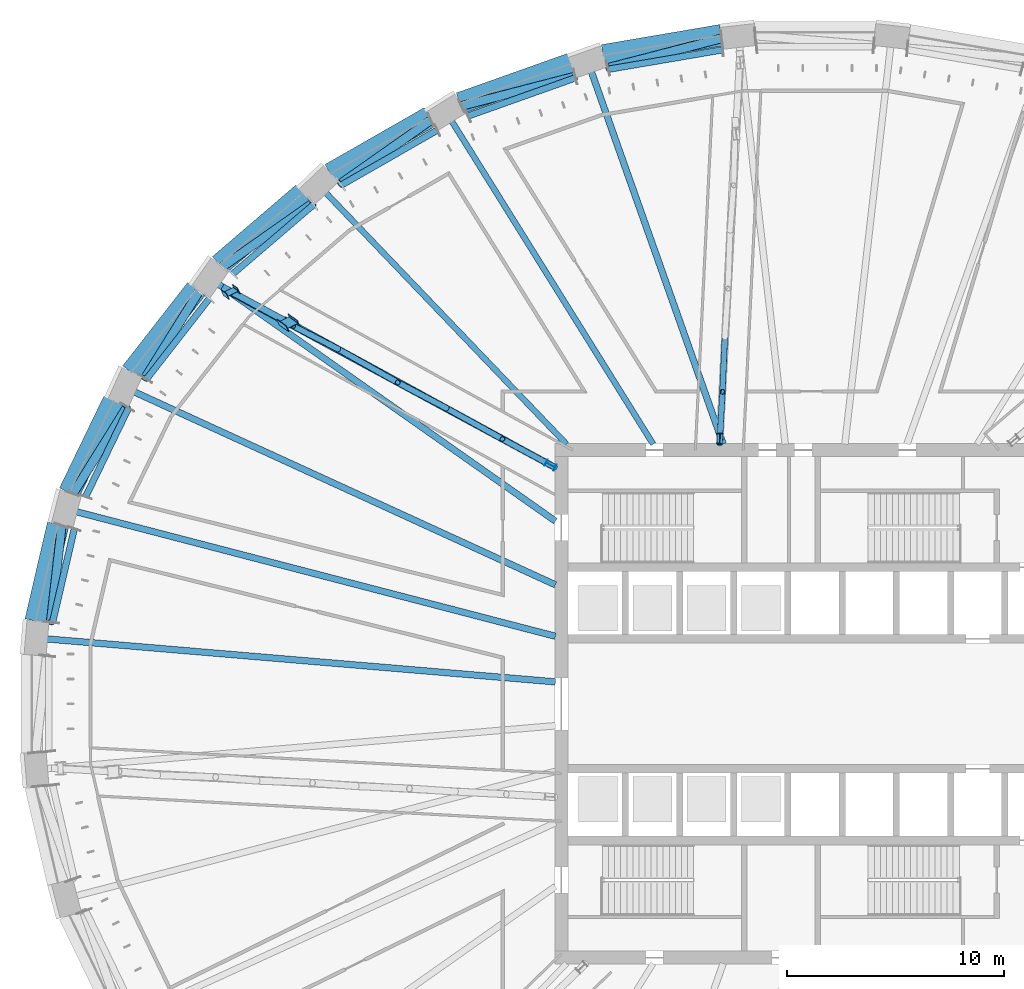
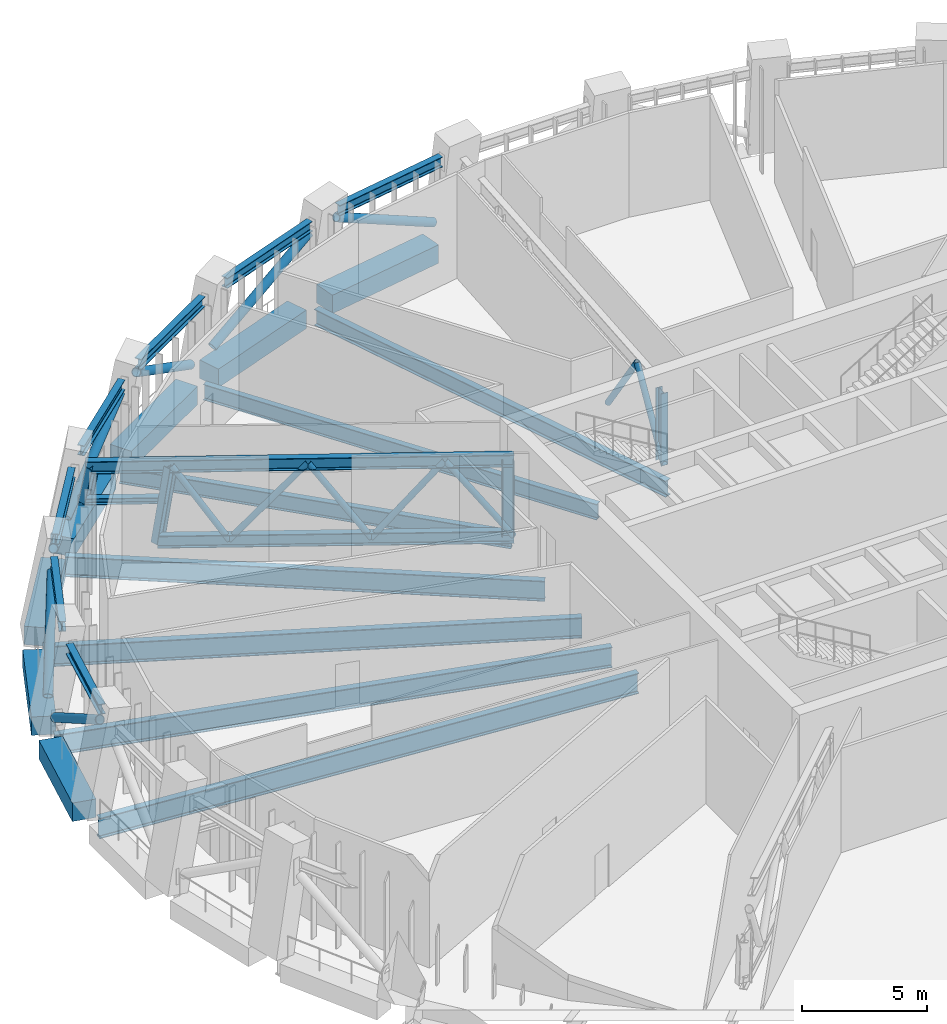
# One storey, part 4 of 22: 28 members, 14 beams.
"""IFC4 building model written with IfcOpenShell, lengths in metres."""

from ifc_helpers import new_model, si_unit, direction, frame, origin, origin_2d, place, context, subcontext, project, spatial, rectangle, hollow_circle, i_section, extrude, material, material_profile, profile_set, type_object, element, save


model = new_model("IFC4")

# Units and contexts
model_context = context("Model", 3, precision=1e-05, world=origin(), true_north=direction((0.0, 1.0)))
body_context = subcontext(model_context, "Body", "Model", "MODEL_VIEW")
ifc_project = project(units=[si_unit("LENGTHUNIT", "METRE"), si_unit("AREAUNIT", "SQUARE_METRE"), si_unit("VOLUMEUNIT", "CUBIC_METRE"), si_unit("PLANEANGLEUNIT", "RADIAN"), si_unit("MASSUNIT", "GRAM", prefix="KILO")], contexts=[model_context])

# Site, building, storey
site_placement = place(None, origin())
site = spatial("IfcSite", under=ifc_project, at=site_placement, CompositionType="ELEMENT")
building_placement = place(site_placement, origin())
building = spatial("IfcBuilding", under=site, at=building_placement, Name="Halqa Exchange Tower", CompositionType="ELEMENT")
storey_placement = place(building_placement, frame((0.0, 0.0, 99.10009765625)))
storey = spatial("IfcBuildingStorey", under=building, at=storey_placement, Name="L22", CompositionType="ELEMENT", Elevation=99.10009765625)

# Members
ifc_material_1 = material(Name="Steel S355", Category="steel")
ifc_material_profile_1 = material_profile(ifc_material_1, i_section(OverallWidth=0.300048828125, OverallDepth=0.5, WebThickness=0.014404296875, FlangeThickness=0.028076171875, FilletRadius=0.027099609375, at=origin_2d()), Name="HEB 500")
ifc_profile_set_1 = profile_set([ifc_material_profile_1], Name="Steel S355")
member_type_1 = type_object("IfcMemberType", Name="Belt truss chord HEB 500", PredefinedType="CHORD", material=ifc_profile_set_1)
member_1_placement = place(storey_placement, frame((-4.243896484375, 30.15380859375, 4.25), z_axis=(-0.985771880532, -0.168088665744, 0.0), x_axis=(0.168088665744, -0.985771880532, 0.0)))
element("IfcMember", 1, at=member_1_placement, inside=storey, type_object=member_type_1, Name="Belt chord 9", PredefinedType="CHORD", context=body_context, shape_type="SweptSolid", body=[
    extrude(i_section(OverallWidth=0.300048828125, OverallDepth=0.5, WebThickness=0.014404296875, FlangeThickness=0.028076171875, FilletRadius=0.027099609375, at=origin_2d()), origin(), (0.0, 0.0, 1.0), 5.3740234375),
])
member_2_placement = place(storey_placement, frame((-11.036865234375, 28.86083984375, 4.25), z_axis=(-0.942353328506, -0.334619491741, 0.0), x_axis=(0.334619491741, -0.942353328506, 0.0)))
element("IfcMember", 2, at=member_2_placement, inside=storey, type_object=member_type_1, Name="Belt chord 10", PredefinedType="CHORD", context=body_context, shape_type="SweptSolid", body=[
    extrude(i_section(OverallWidth=0.300048828125, OverallDepth=0.5, WebThickness=0.014404296875, FlangeThickness=0.028076171875, FilletRadius=0.027099609375, at=origin_2d()), origin(), (0.0, 0.0, 1.0), 5.271484375),
])
member_3_placement = place(storey_placement, frame((-17.40771484375, 26.452392578125, 4.25), z_axis=(-0.867784939112, -0.496939935455, 0.0), x_axis=(0.496939935455, -0.867784939112, 0.0)))
element("IfcMember", 3, at=member_3_placement, inside=storey, type_object=member_type_1, Name="Belt chord 11", PredefinedType="CHORD", context=body_context, shape_type="SweptSolid", body=[
    extrude(i_section(OverallWidth=0.300048828125, OverallDepth=0.5, WebThickness=0.014404296875, FlangeThickness=0.028076171875, FilletRadius=0.027099609375, at=origin_2d()), origin(), (0.0, 0.0, 1.0), 5.119140625),
])
member_4_placement = place(storey_placement, frame((-23.111328125, 23.0185546875, 4.25), z_axis=(-0.759274080508, -0.650770981735, 0.0), x_axis=(0.650770981735, -0.759274080508, 0.0)))
element("IfcMember", 4, at=member_4_placement, inside=storey, type_object=member_type_1, Name="Belt chord 12", PredefinedType="CHORD", context=body_context, shape_type="SweptSolid", body=[
    extrude(i_section(OverallWidth=0.300048828125, OverallDepth=0.5, WebThickness=0.014404296875, FlangeThickness=0.028076171875, FilletRadius=0.027099609375, at=origin_2d()), origin(), (0.0, 0.0, 1.0), 4.929931640625),
])
member_5_placement = place(storey_placement, frame((-27.92138671875, 18.692138671875, 4.25), z_axis=(-0.614839492792, -0.788652266911, 0.0), x_axis=(0.788652266911, -0.614839492792, 0.0)))
element("IfcMember", 5, at=member_5_placement, inside=storey, type_object=member_type_1, Name="Belt chord 13", PredefinedType="CHORD", context=body_context, shape_type="SweptSolid", body=[
    extrude(i_section(OverallWidth=0.300048828125, OverallDepth=0.5, WebThickness=0.014404296875, FlangeThickness=0.028076171875, FilletRadius=0.027099609375, at=origin_2d()), origin(), (0.0, 0.0, 1.0), 4.736328125),
])
member_6_placement = place(storey_placement, frame((-31.648193359375, 13.64599609375, 4.25), z_axis=(-0.435115224416, -0.900374778346, 0.0), x_axis=(0.900374778346, -0.435115224416, 0.0)))
element("IfcMember", 6, at=member_6_placement, inside=storey, type_object=member_type_1, Name="Belt chord 14", PredefinedType="CHORD", context=body_context, shape_type="SweptSolid", body=[
    extrude(i_section(OverallWidth=0.300048828125, OverallDepth=0.5, WebThickness=0.014404296875, FlangeThickness=0.028076171875, FilletRadius=0.027099609375, at=origin_2d()), origin(), (0.0, 0.0, 1.0), 4.56787109375),
])
member_7_placement = place(storey_placement, frame((-34.1494140625, 8.076171875, 4.25), z_axis=(-0.226097177995, -0.974104751093, 0.0), x_axis=(0.974104751093, -0.226097177995, 0.0)))
element("IfcMember", 7, at=member_7_placement, inside=storey, type_object=member_type_1, Name="Belt chord 15", PredefinedType="CHORD", context=body_context, shape_type="SweptSolid", body=[
    extrude(i_section(OverallWidth=0.300048828125, OverallDepth=0.5, WebThickness=0.014404296875, FlangeThickness=0.028076171875, FilletRadius=0.027099609375, at=origin_2d()), origin(), (0.0, 0.0, 1.0), 4.450927734375),
])
ifc_material_profile_2 = material_profile(ifc_material_1, hollow_circle(Radius=0.203125, WallThickness=0.02490234375, at=origin_2d()), Name="CHS 406.4x25")
ifc_profile_set_2 = profile_set([ifc_material_profile_2], Name="Steel S355")
member_type_2 = type_object("IfcMemberType", Name="Belt truss diagonal CHS 406.4x25", PredefinedType="BRACE", material=ifc_profile_set_2)
for number, where, z_axis, x_axis, name in (
    (8, (-4.306640625, 30.67919921875, 0.9208984375), (-0.852667020443, -0.221569758473, 0.47314458084), (0.251502364418, -0.967856683963, 0.0), "Belt diagonal 9"),
    (9, (-11.052978515625, 28.92578125, 3.835205078125), (-0.852618742375, -0.221765694928, -0.473139785586), (0.251724034736, -0.96779905473, 0.0), "Belt diagonal 10"),
):
    element("IfcMember", number, at=place(storey_placement, frame(where, z_axis=z_axis, x_axis=x_axis)), inside=storey, type_object=member_type_2, Name=name, PredefinedType="BRACE", context=body_context, shape_type="SweptSolid", body=[
        extrude(hollow_circle(Radius=0.203125, WallThickness=0.02490234375, at=origin_2d()), origin(), (0.0, 0.0, 1.0), 6.159423828125),
    ])
member_8_placement = place(storey_placement, frame((-17.705078125, 26.910888671875, 0.94091796875), z_axis=(-0.713146086964, -0.501481533333, 0.489835615664), x_axis=(0.575215659763, -0.818001799975, 0.0)))
element("IfcMember", 10, at=member_8_placement, inside=storey, type_object=member_type_2, Name="Belt diagonal 11", PredefinedType="BRACE", context=body_context, shape_type="SweptSolid", body=[
    extrude(hollow_circle(Radius=0.203125, WallThickness=0.02490234375, at=origin_2d()), origin(), (0.0, 0.0, 1.0), 5.869873046875),
])
member_9_placement = place(storey_placement, frame((-23.15380859375, 23.078857421875, 3.816162109375), z_axis=(-0.712999732948, -0.501671205658, -0.489854450046), x_axis=(0.575440205069, -0.817843854529, 0.0)))
element("IfcMember", 11, at=member_9_placement, inside=storey, type_object=member_type_2, Name="Belt diagonal 12", PredefinedType="BRACE", context=body_context, shape_type="SweptSolid", body=[
    extrude(hollow_circle(Radius=0.203125, WallThickness=0.02490234375, at=origin_2d()), origin(), (0.0, 0.0, 1.0), 5.86767578125),
])
member_10_placement = place(storey_placement, frame((-28.398193359375, 19.01318359375, 0.97021484375), z_axis=(-0.454655537217, -0.728778909876, 0.512025041377), x_axis=(0.848432968929, -0.529302840757, 0.0)))
element("IfcMember", 12, at=member_10_placement, inside=storey, type_object=member_type_2, Name="Belt diagonal 13", PredefinedType="BRACE", context=body_context, shape_type="SweptSolid", body=[
    extrude(hollow_circle(Radius=0.203125, WallThickness=0.02490234375, at=origin_2d()), origin(), (0.0, 0.0, 1.0), 5.5068359375),
])
member_11_placement = place(storey_placement, frame((-31.71875, 13.689697265625, 3.789794921875), z_axis=(-0.454383380528, -0.728929777295, -0.512051875567), x_axis=(0.848624409941, -0.52899585145, 0.0)))
element("IfcMember", 13, at=member_11_placement, inside=storey, type_object=member_type_2, Name="Belt diagonal 14", PredefinedType="BRACE", context=body_context, shape_type="SweptSolid", body=[
    extrude(hollow_circle(Radius=0.203125, WallThickness=0.02490234375, at=origin_2d()), origin(), (0.0, 0.0, 1.0), 5.503662109375),
])
member_12_placement = place(storey_placement, frame((-34.72900390625, 8.21875, 0.990234375), z_axis=(-0.097252695777, -0.844902988232, 0.526004613706), x_axis=(0.993440510272, -0.114350131393, 0.0)))
element("IfcMember", 14, at=member_12_placement, inside=storey, type_object=member_type_2, Name="Belt diagonal 15", PredefinedType="BRACE", context=body_context, shape_type="SweptSolid", body=[
    extrude(hollow_circle(Radius=0.203125, WallThickness=0.02490234375, at=origin_2d()), origin(), (0.0, 0.0, 1.0), 5.289306640625),
])

# Beams
ifc_material_profile_3 = material_profile(ifc_material_1, i_section(OverallWidth=0.300048828125, OverallDepth=0.989990234375, WebThickness=0.0166015625, FlangeThickness=0.031005859375, FilletRadius=0.030029296875, at=origin_2d()), Name="HEA 1000")
ifc_profile_set_3 = profile_set([ifc_material_profile_3], Name="Steel S355")
beam_type_1 = type_object("IfcBeamType", Name="Floor beam HEA 1000", PredefinedType="BEAM", material=ifc_profile_set_3)
beam_1_placement = place(storey_placement, frame((-11.972412109375, 8.421875, -0.84521484375), z_axis=(-0.817909909025, 0.575346313727, 0.0), x_axis=(-0.575346313727, -0.817909909025, 0.0)))
element("IfcBeam", 15, at=beam_1_placement, inside=storey, type_object=beam_type_1, Name="Radial beam 13", PredefinedType="BEAM", context=body_context, shape_type="SweptSolid", body=[
    extrude(i_section(OverallWidth=0.300048828125, OverallDepth=0.989990234375, WebThickness=0.0166015625, FlangeThickness=0.031005859375, FilletRadius=0.030029296875, at=origin_2d()), origin(), (0.0, 0.0, 1.0), 19.283447265625),
])
ifc_material_profile_4 = material_profile(ifc_material_1, i_section(OverallWidth=0.300048828125, OverallDepth=0.7900390625, WebThickness=0.014892578125, FlangeThickness=0.028076171875, FilletRadius=0.030029296875, at=origin_2d()), Name="HEA 800")
ifc_profile_set_4 = profile_set([ifc_material_profile_4], Name="Steel S355")
beam_type_2 = type_object("IfcBeamType", Name="Floor beam HEA 800", PredefinedType="BEAM", material=ifc_profile_set_4)
beam_2_placement = place(storey_placement, frame((-4.23681640625, 11.971923828125, -0.7451171875), z_axis=(-0.333628265903, 0.942704715269, 0.0), x_axis=(-0.942704715269, -0.333628265903, 0.0)))
element("IfcBeam", 16, at=beam_2_placement, inside=storey, type_object=beam_type_2, Name="Radial beam 10", PredefinedType="BEAM", context=body_context, shape_type="SweptSolid", body=[
    extrude(i_section(OverallWidth=0.300048828125, OverallDepth=0.7900390625, WebThickness=0.014892578125, FlangeThickness=0.028076171875, FilletRadius=0.030029296875, at=origin_2d()), origin(), (0.0, 0.0, 1.0), 18.50146484375),
])
ifc_material_profile_5 = material_profile(ifc_material_1, i_section(OverallWidth=0.300048828125, OverallDepth=1.0, WebThickness=0.01904296875, FlangeThickness=0.035888671875, FilletRadius=0.030029296875, at=origin_2d()), Name="HEB 1000")
ifc_profile_set_5 = profile_set([ifc_material_profile_5], Name="Steel S355")
beam_type_3 = type_object("IfcBeamType", Name="Floor beam HEB 1000", PredefinedType="BEAM", material=ifc_profile_set_5)
beam_3_placement = place(storey_placement, frame((-11.972412109375, 5.485107421875, -0.85009765625), z_axis=(-0.909124765465, 0.416523901857, 0.0), x_axis=(-0.416523901857, -0.909124765465, 0.0)))
element("IfcBeam", 17, at=beam_3_placement, inside=storey, type_object=beam_type_3, Name="Radial beam 14", PredefinedType="BEAM", context=body_context, shape_type="SweptSolid", body=[
    extrude(i_section(OverallWidth=0.300048828125, OverallDepth=1.0, WebThickness=0.01904296875, FlangeThickness=0.035888671875, FilletRadius=0.030029296875, at=origin_2d()), origin(), (0.0, 0.0, 1.0), 21.658447265625),
])
beam_4_placement = place(storey_placement, frame((-11.97119140625, 3.11279296875, -0.85009765625), z_axis=(-0.967821221956, 0.251638793376, 0.0), x_axis=(-0.251638793376, -0.967821221956, 0.0)))
element("IfcBeam", 18, at=beam_4_placement, inside=storey, type_object=beam_type_3, Name="Radial beam 15", PredefinedType="BEAM", context=body_context, shape_type="SweptSolid", body=[
    extrude(i_section(OverallWidth=0.300048828125, OverallDepth=1.0, WebThickness=0.01904296875, FlangeThickness=0.035888671875, FilletRadius=0.030029296875, at=origin_2d()), origin(), (0.0, 0.0, 1.0), 23.138427734375),
])
beam_5_placement = place(storey_placement, frame((-11.972412109375, 1.0107421875, -0.85009765625), z_axis=(-0.996455472254, 0.084121886657, 0.0), x_axis=(-0.084121886657, -0.996455472254, 0.0)))
element("IfcBeam", 19, at=beam_5_placement, inside=storey, type_object=beam_type_3, Name="Radial beam 16", PredefinedType="BEAM", context=body_context, shape_type="SweptSolid", body=[
    extrude(i_section(OverallWidth=0.300048828125, OverallDepth=1.0, WebThickness=0.01904296875, FlangeThickness=0.035888671875, FilletRadius=0.030029296875, at=origin_2d()), origin(), (0.0, 0.0, 1.0), 23.856201171875),
])
ifc_material_profile_6 = material_profile(ifc_material_1, i_section(OverallWidth=0.26806640625, OverallDepth=0.77001953125, WebThickness=0.015625, FlangeThickness=0.025390625, FilletRadius=0.01708984375, at=origin_2d()), Name="IPE 750x196")
ifc_profile_set_6 = profile_set([ifc_material_profile_6], Name="Steel S355")
beam_type_4 = type_object("IfcBeamType", Name="Floor beam IPE 750x196", PredefinedType="BEAM", material=ifc_profile_set_6)
beam_6_placement = place(storey_placement, frame((-7.46533203125, 11.971435546875, -0.735107421875), z_axis=(-0.529141506994, 0.848533597199, 0.0), x_axis=(-0.848533597199, -0.529141506994, 0.0)))
element("IfcBeam", 20, at=beam_6_placement, inside=storey, type_object=beam_type_4, Name="Radial beam 11", PredefinedType="BEAM", context=body_context, shape_type="SweptSolid", body=[
    extrude(i_section(OverallWidth=0.26806640625, OverallDepth=0.77001953125, WebThickness=0.015625, FlangeThickness=0.025390625, FilletRadius=0.01708984375, at=origin_2d()), origin(), (0.0, 0.0, 1.0), 17.8447265625),
])
beam_7_placement = place(storey_placement, frame((-11.46240234375, 11.9716796875, -0.735107421875), z_axis=(-0.691571333254, 0.722308169011, 0.0), x_axis=(-0.722308169011, -0.691571333254, 0.0)))
element("IfcBeam", 21, at=beam_7_placement, inside=storey, type_object=beam_type_4, Name="Radial beam 12", PredefinedType="BEAM", context=body_context, shape_type="SweptSolid", body=[
    extrude(i_section(OverallWidth=0.26806640625, OverallDepth=0.77001953125, WebThickness=0.015625, FlangeThickness=0.025390625, FilletRadius=0.01708984375, at=origin_2d()), origin(), (0.0, 0.0, 1.0), 16.338623046875),
])

# Members
ifc_material_profile_7 = material_profile(ifc_material_1, i_section(OverallWidth=0.300048828125, OverallDepth=0.60009765625, WebThickness=0.015380859375, FlangeThickness=0.030029296875, FilletRadius=0.027099609375, at=origin_2d()), Name="HEB 600")
ifc_profile_set_7 = profile_set([ifc_material_profile_7], Name="Steel S355")
member_type_3 = type_object("IfcMemberType", Name="Outrigger chord HEB 600", PredefinedType="CHORD", material=ifc_profile_set_7)
member_13_placement = place(storey_placement, frame((-11.976318359375, 10.88720703125, 0.2998046875), z_axis=(-0.877703511971, 0.479204074559, 0.0), x_axis=(-0.479204074559, -0.877703511971, 0.0)))
element("IfcMember", 22, at=member_13_placement, inside=storey, type_object=member_type_3, Name="Outrigger 4 chord", PredefinedType="CHORD", context=body_context, shape_type="SweptSolid", body=[
    extrude(i_section(OverallWidth=0.300048828125, OverallDepth=0.60009765625, WebThickness=0.015380859375, FlangeThickness=0.030029296875, FilletRadius=0.027099609375, at=origin_2d()), origin(), (0.0, 0.0, 1.0), 14.28759765625),
])
member_14_placement = place(storey_placement, frame((-11.976318359375, 10.88720703125, 4.02978515625), z_axis=(-0.87975055556, 0.475435547674, 0.0), x_axis=(-0.475435547674, -0.87975055556, 0.0)))
element("IfcMember", 23, at=member_14_placement, inside=storey, type_object=member_type_3, Name="Outrigger 4 chord", PredefinedType="CHORD", context=body_context, shape_type="SweptSolid", body=[
    extrude(i_section(OverallWidth=0.300048828125, OverallDepth=0.60009765625, WebThickness=0.015380859375, FlangeThickness=0.030029296875, FilletRadius=0.027099609375, at=origin_2d()), origin(), (0.0, 0.0, 1.0), 17.170654296875),
])
ifc_material_profile_8 = material_profile(ifc_material_1, hollow_circle(Radius=0.136474609375, WallThickness=0.01611328125, at=origin_2d()), Name="CHS 273x16")
ifc_profile_set_8 = profile_set([ifc_material_profile_8], Name="Steel S355")
member_type_4 = type_object("IfcMemberType", Name="Outrigger diagonal CHS 273x16", PredefinedType="BRACE", material=ifc_profile_set_8)
member_15_placement = place(storey_placement, frame((-4.39990234375, 12.0, 0.406982421875), z_axis=(0.03030082618, 0.558589143499, 0.82889084245), x_axis=(-0.99853196367, 0.054165648973, 0.0)))
element("IfcMember", 24, at=member_15_placement, inside=storey, type_object=member_type_4, Name="Outrigger 3 diagonal", PredefinedType="BRACE", context=body_context, shape_type="SweptSolid", body=[
    extrude(hollow_circle(Radius=0.136474609375, WallThickness=0.01611328125, at=origin_2d()), origin(), (0.0, 0.0, 1.0), 4.26220703125),
])
member_16_placement = place(storey_placement, frame((-4.270751953125, 14.380859375, 3.93994140625), z_axis=(0.025780351348, 0.581995644166, -0.81278314676), x_axis=(-0.999020352913, 0.044253072958, 0.0)))
element("IfcMember", 25, at=member_16_placement, inside=storey, type_object=member_type_4, Name="Outrigger 3 diagonal", PredefinedType="BRACE", context=body_context, shape_type="SweptSolid", body=[
    extrude(hollow_circle(Radius=0.136474609375, WallThickness=0.01611328125, at=origin_2d()), origin(), (0.0, 0.0, 1.0), 4.3466796875),
])
member_17_placement = place(storey_placement, frame((-12.0, 10.89990234375, 0.2998046875), z_axis=(-0.521187619408, 0.281685983699, 0.805615585726), x_axis=(-0.475468631432, -0.879732675603, 0.0)))
element("IfcMember", 26, at=member_17_placement, inside=storey, type_object=member_type_4, Name="Outrigger 4 diagonal", PredefinedType="BRACE", context=body_context, shape_type="SweptSolid", body=[
    extrude(hollow_circle(Radius=0.136474609375, WallThickness=0.01611328125, at=origin_2d()), origin(), (0.0, 0.0, 1.0), 4.6298828125),
])
member_18_placement = place(storey_placement, frame((-14.4130859375, 12.2041015625, 4.02978515625), z_axis=(-0.543360164903, 0.299476920363, -0.78426609347), x_axis=(-0.48269671502, -0.875787577732, 0.0)))
element("IfcMember", 27, at=member_18_placement, inside=storey, type_object=member_type_4, Name="Outrigger 4 diagonal", PredefinedType="BRACE", context=body_context, shape_type="SweptSolid", body=[
    extrude(hollow_circle(Radius=0.136474609375, WallThickness=0.01611328125, at=origin_2d()), origin(), (0.0, 0.0, 1.0), 4.756103515625),
])
member_19_placement = place(storey_placement, frame((-16.997314453125, 13.62841796875, 0.2998046875), z_axis=(-0.497140378519, 0.262481891925, 0.82701553822), x_axis=(-0.466900866509, -0.88430966344, 0.0)))
element("IfcMember", 28, at=member_19_placement, inside=storey, type_object=member_type_4, Name="Outrigger 4 diagonal", PredefinedType="BRACE", context=body_context, shape_type="SweptSolid", body=[
    extrude(hollow_circle(Radius=0.136474609375, WallThickness=0.01611328125, at=origin_2d()), origin(), (0.0, 0.0, 1.0), 4.51025390625),
])
member_20_placement = place(storey_placement, frame((-19.239501953125, 14.812255859375, 4.02978515625), z_axis=(-0.563661807722, 0.315998280366, -0.76317131322), x_axis=(-0.489012893664, -0.872276555818, 0.0)))
element("IfcMember", 29, at=member_20_placement, inside=storey, type_object=member_type_4, Name="Outrigger 4 diagonal", PredefinedType="BRACE", context=body_context, shape_type="SweptSolid", body=[
    extrude(hollow_circle(Radius=0.136474609375, WallThickness=0.01611328125, at=origin_2d()), origin(), (0.0, 0.0, 1.0), 4.887451171875),
])
member_21_placement = place(storey_placement, frame((-21.994384765625, 16.356689453125, 0.2998046875), z_axis=(-0.471101112195, 0.241907783834, 0.848259610149), x_axis=(-0.456791231385, -0.889573926624, 0.0)))
element("IfcMember", 30, at=member_21_placement, inside=storey, type_object=member_type_4, Name="Outrigger 4 diagonal", PredefinedType="BRACE", context=body_context, shape_type="SweptSolid", body=[
    extrude(hollow_circle(Radius=0.136474609375, WallThickness=0.01611328125, at=origin_2d()), origin(), (0.0, 0.0, 1.0), 4.397216796875),
])
ifc_material_profile_9 = material_profile(ifc_material_1, i_section(OverallWidth=0.300048828125, OverallDepth=0.300048828125, WebThickness=0.010986328125, FlangeThickness=0.01904296875, FilletRadius=0.027099609375, at=origin_2d()), Name="HEB 300")
ifc_profile_set_9 = profile_set([ifc_material_profile_9], Name="Steel S355")
member_type_5 = type_object("IfcMemberType", Name="Outrigger opening chord HEB 300", PredefinedType="CHORD", material=ifc_profile_set_9)
member_22_placement = place(storey_placement, frame((-24.25830078125, 17.555908203125, 2.349853515625), z_axis=(-0.878822395623, 0.477149030128, 0.0), x_axis=(-0.477149030128, -0.878822395623, 0.0)))
element("IfcMember", 31, at=member_22_placement, inside=storey, type_object=member_type_5, Name="Outrigger 4 opening chord", PredefinedType="CHORD", context=body_context, shape_type="SweptSolid", body=[
    extrude(i_section(OverallWidth=0.300048828125, OverallDepth=0.300048828125, WebThickness=0.010986328125, FlangeThickness=0.01904296875, FilletRadius=0.027099609375, at=origin_2d()), origin(), (0.0, 0.0, 1.0), 3.487060546875),
])
ifc_material_profile_10 = material_profile(ifc_material_1, i_section(OverallWidth=0.300048828125, OverallDepth=0.5, WebThickness=0.014404296875, FlangeThickness=0.028076171875, FilletRadius=0.027099609375, at=origin_2d()), Name="HEB 500")
ifc_profile_set_10 = profile_set([ifc_material_profile_10], Name="Steel S355")
member_type_6 = type_object("IfcMemberType", Name="Outrigger post HEB 500", PredefinedType="POST", material=ifc_profile_set_10)
member_23_placement = place(storey_placement, frame((-4.38916015625, 12.221923828125, 0.406982421875), z_axis=(0.0, 0.0, 1.0), x_axis=(-0.99881294832, 0.048710309674, 0.0)))
element("IfcMember", 32, at=member_23_placement, inside=storey, type_object=member_type_6, Name="Outrigger 3 post", PredefinedType="POST", context=body_context, shape_type="SweptSolid", body=[
    extrude(i_section(OverallWidth=0.300048828125, OverallDepth=0.5, WebThickness=0.014404296875, FlangeThickness=0.028076171875, FilletRadius=0.027099609375, at=origin_2d()), origin(), (0.0, 0.0, 1.0), 3.532958984375),
])
member_24_placement = place(storey_placement, frame((-12.1953125, 11.006591796875, 0.2998046875), z_axis=(0.0, 0.0, 1.0), x_axis=(-0.4793965935, -0.877598374053, 0.0)))
element("IfcMember", 33, at=member_24_placement, inside=storey, type_object=member_type_6, Name="Outrigger 4 post", PredefinedType="POST", context=body_context, shape_type="SweptSolid", body=[
    extrude(i_section(OverallWidth=0.300048828125, OverallDepth=0.5, WebThickness=0.014404296875, FlangeThickness=0.028076171875, FilletRadius=0.027099609375, at=origin_2d()), origin(), (0.0, 0.0, 1.0), 3.72998046875),
])
ifc_material_profile_11 = material_profile(ifc_material_1, i_section(OverallWidth=0.300048828125, OverallDepth=0.60009765625, WebThickness=0.015380859375, FlangeThickness=0.030029296875, FilletRadius=0.027099609375, at=origin_2d()), Name="HEB 600")
ifc_profile_set_11 = profile_set([ifc_material_profile_11], Name="Steel S355")
member_type_7 = type_object("IfcMemberType", Name="Outrigger post HEB 600", PredefinedType="POST", material=ifc_profile_set_11)
member_25_placement = place(storey_placement, frame((-24.492919921875, 17.720947265625, 0.2998046875), z_axis=(0.113372821007, -0.079795278822, 0.990343029932), x_axis=(0.434809328565, -0.892265365872, -0.121669078482)))
element("IfcMember", 34, at=member_25_placement, inside=storey, type_object=member_type_7, Name="Outrigger 4 post", PredefinedType="POST", context=body_context, shape_type="SweptSolid", body=[
    extrude(i_section(OverallWidth=0.300048828125, OverallDepth=0.60009765625, WebThickness=0.015380859375, FlangeThickness=0.030029296875, FilletRadius=0.027099609375, at=origin_2d()), origin(), (0.0, 0.0, 1.0), 3.766357421875),
])
member_26_placement = place(storey_placement, frame((-27.060302734375, 19.076416015625, 2.349853515625), z_axis=(0.141144613042, -0.099202045475, 0.985006168703), x_axis=(0.43156897068, -0.889283703958, -0.151402501371)))
element("IfcMember", 35, at=member_26_placement, inside=storey, type_object=member_type_7, Name="Outrigger 4 post", PredefinedType="POST", context=body_context, shape_type="SweptSolid", body=[
    extrude(i_section(OverallWidth=0.300048828125, OverallDepth=0.60009765625, WebThickness=0.015380859375, FlangeThickness=0.030029296875, FilletRadius=0.027099609375, at=origin_2d()), origin(), (0.0, 0.0, 1.0), 1.70556640625),
])

# Beams
ifc_material_2 = material(Name="Concrete C60/75", Category="concrete")
ifc_material_profile_12 = material_profile(ifc_material_2, rectangle(XDim=1.0, YDim=0.89990234375, at=origin_2d()), Name="1000 x 900")
ifc_profile_set_12 = profile_set([ifc_material_profile_12], Name="Concrete C60/75")
beam_type_5 = type_object("IfcBeamType", Name="RC spandrel beam 1000 x 900 C60/75", PredefinedType="SPANDREL", material=ifc_profile_set_12)
beam_8_placement = place(storey_placement, frame((-4.321044921875, 30.8251953125, -0.4501953125), z_axis=(-0.985777143165, -0.168057799621, 0.0), x_axis=(0.168057799621, -0.985777143165, 0.0)))
element("IfcBeam", 36, at=beam_8_placement, inside=storey, type_object=beam_type_5, Name="Spandrel 9", PredefinedType="SPANDREL", context=body_context, shape_type="SweptSolid", body=[
    extrude(rectangle(XDim=1.0, YDim=0.89990234375, at=origin_2d()), origin(), (0.0, 0.0, 1.0), 5.527587890625),
])
beam_9_placement = place(storey_placement, frame((-11.265380859375, 29.50634765625, -0.4501953125), z_axis=(-0.942369615116, -0.334573621951, 0.0), x_axis=(0.334573621951, -0.942369615116, 0.0)))
element("IfcBeam", 37, at=beam_9_placement, inside=storey, type_object=beam_type_5, Name="Spandrel 10", PredefinedType="SPANDREL", context=body_context, shape_type="SweptSolid", body=[
    extrude(rectangle(XDim=1.0, YDim=0.89990234375, at=origin_2d()), origin(), (0.0, 0.0, 1.0), 5.423828125),
])
beam_10_placement = place(storey_placement, frame((-17.77978515625, 27.047119140625, -0.4501953125), z_axis=(-0.867743454254, -0.497012371677, 0.0), x_axis=(0.497012371677, -0.867743454254, 0.0)))
element("IfcBeam", 38, at=beam_10_placement, inside=storey, type_object=beam_type_5, Name="Spandrel 11", PredefinedType="SPANDREL", context=body_context, shape_type="SweptSolid", body=[
    extrude(rectangle(XDim=1.0, YDim=0.89990234375, at=origin_2d()), origin(), (0.0, 0.0, 1.0), 5.266357421875),
])
beam_11_placement = place(storey_placement, frame((-23.610595703125, 23.539794921875, -0.4501953125), z_axis=(-0.759287164201, -0.650755716286, 0.0), x_axis=(0.650755716286, -0.759287164201, 0.0)))
element("IfcBeam", 39, at=beam_11_placement, inside=storey, type_object=beam_type_5, Name="Spandrel 12", PredefinedType="SPANDREL", context=body_context, shape_type="SweptSolid", body=[
    extrude(rectangle(XDim=1.0, YDim=0.89990234375, at=origin_2d()), origin(), (0.0, 0.0, 1.0), 5.074951171875),
])
beam_12_placement = place(storey_placement, frame((-28.529296875, 19.120849609375, -0.4501953125), z_axis=(-0.614817026553, -0.788669781252, 0.0), x_axis=(0.788669781252, -0.614817026553, 0.0)))
element("IfcBeam", 40, at=beam_12_placement, inside=storey, type_object=beam_type_5, Name="Spandrel 13", PredefinedType="SPANDREL", context=body_context, shape_type="SweptSolid", body=[
    extrude(rectangle(XDim=1.0, YDim=0.89990234375, at=origin_2d()), origin(), (0.0, 0.0, 1.0), 4.877197265625),
])
beam_13_placement = place(storey_placement, frame((-32.34228515625, 13.963623046875, -0.4501953125), z_axis=(-0.435149722828, -0.900358105824, 0.0), x_axis=(0.900358105824, -0.435149722828, 0.0)))
element("IfcBeam", 41, at=beam_13_placement, inside=storey, type_object=beam_type_5, Name="Spandrel 14", PredefinedType="SPANDREL", context=body_context, shape_type="SweptSolid", body=[
    extrude(rectangle(XDim=1.0, YDim=0.89990234375, at=origin_2d()), origin(), (0.0, 0.0, 1.0), 4.70263671875),
])
beam_14_placement = place(storey_placement, frame((-34.90234375, 8.273193359375, -0.4501953125), z_axis=(-0.226091821928, -0.974105994262, 0.0), x_axis=(0.974105994262, -0.226091821928, 0.0)))
element("IfcBeam", 42, at=beam_14_placement, inside=storey, type_object=beam_type_5, Name="Spandrel 15", PredefinedType="SPANDREL", context=body_context, shape_type="SweptSolid", body=[
    extrude(rectangle(XDim=1.0, YDim=0.89990234375, at=origin_2d()), origin(), (0.0, 0.0, 1.0), 4.5859375),
])

save(model, "model.ifc")
